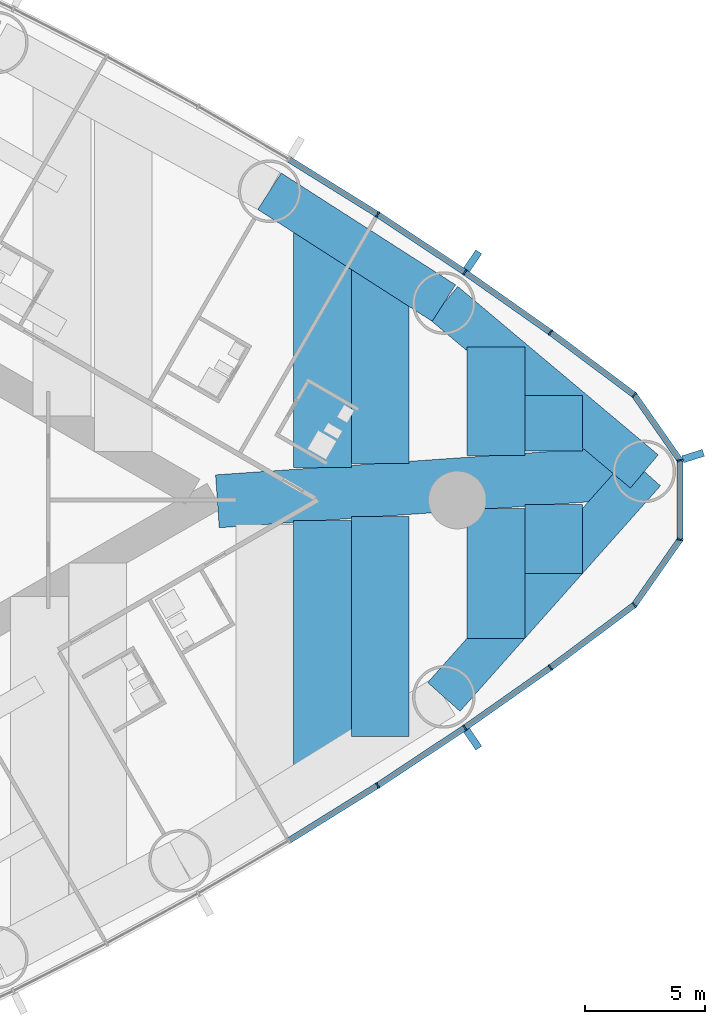
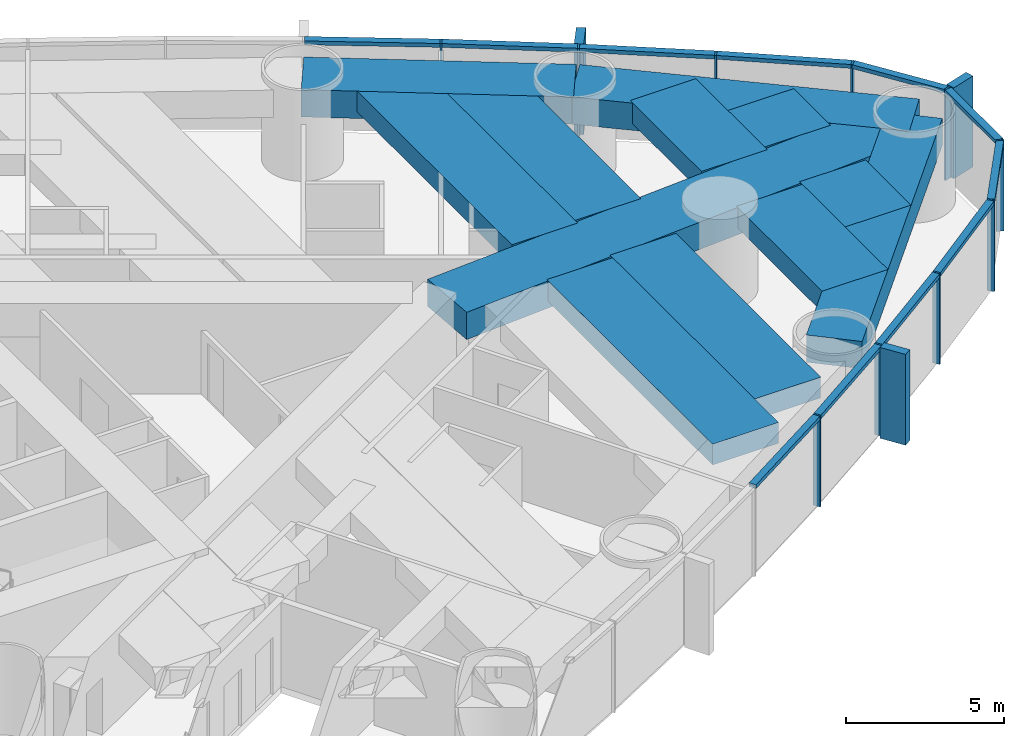
# One storey, part 8 of 19: 24 members, 12 beams, 1 element without a shape of its own.
"""IFC4 building model written with IfcOpenShell, lengths in metres."""

import ifcopenshell
import ifcopenshell.guid

model = None  # the IFC model being written
_history = None  # IfcOwnerHistory: only IFC2X3 demands one
_inside = {}  # id of a spatial element -> (the spatial element, [elements in it])
_under = {}  # id of a project, library or spatial element -> (it, [spatial elements below it])
_declared = {}  # id of a project -> (the project, [libraries it declares])
_typed = {}  # id of a type object -> (the type object, [elements of that type])
_made_of = {}  # id of a material, layer set ... -> (it, [elements and type objects made of it])


def new_model(schema):
    """Start an empty IFC model of exactly this schema.

    Asked for "IFC4X3", IfcOpenShell would pick the latest addendum, in which some entities
    have other attributes; the version numbers below select the first issue.
    IFC2X3 requires an IfcOwnerHistory on every rooted entity: one is made here for all.
    """
    global model, _history
    if schema == "IFC4X3":
        model = ifcopenshell.file(schema_version=(4, 3, 0, 0))
    else:
        model = ifcopenshell.file(schema=schema)
    _inside.clear()
    _under.clear()
    _declared.clear()
    _typed.clear()
    _made_of.clear()
    _history = None
    if model.schema == "IFC2X3":
        org = make("IfcOrganization", Name="unknown")
        user = make(
            "IfcPersonAndOrganization",
            ThePerson=make("IfcPerson", FamilyName="unknown"),
            TheOrganization=org,
        )
        app = make(
            "IfcApplication",
            ApplicationDeveloper=org,
            Version="unknown",
            ApplicationFullName="unknown",
            ApplicationIdentifier="unknown",
        )
        _history = make(
            "IfcOwnerHistory",
            OwningUser=user,
            OwningApplication=app,
            ChangeAction="ADDED",
            CreationDate=0,
        )
    return model


def make(cls, **values):
    """One entity of the class cls with the attributes given. An attribute that is None is left unset."""
    return model.create_entity(
        cls, **{name: value for name, value in values.items() if value is not None}
    )


def rooted(cls, **values):
    """An entity with a GlobalId (a new one), such as an element, a storey or a relation."""
    return make(cls, GlobalId=ifcopenshell.guid.new(), OwnerHistory=_history, **values)


def si_unit(unit_type, name, prefix=None):
    """IfcSIUnit, for example si_unit("LENGTHUNIT", "METRE", prefix="MILLI")."""
    return make("IfcSIUnit", UnitType=unit_type, Prefix=prefix, Name=name)


def assignment(units):
    """IfcUnitAssignment: the units of a project."""
    return None if units is None else make("IfcUnitAssignment", Units=units)


def point(xyz):
    """IfcCartesianPoint."""
    return None if xyz is None else make("IfcCartesianPoint", Coordinates=xyz)


def direction(xyz):
    """IfcDirection."""
    return None if xyz is None else make("IfcDirection", DirectionRatios=xyz)


def frame(location, z_axis=None, x_axis=None):
    """IfcAxis2Placement3D, a coordinate frame: its origin and axes. An axis left out is left unset."""
    return make(
        "IfcAxis2Placement3D",
        Location=point(location),
        Axis=direction(z_axis),
        RefDirection=direction(x_axis),
    )


def frame_2d(location, x_axis=None):
    """IfcAxis2Placement2D, a coordinate frame in the plane: its origin and x axis."""
    return make(
        "IfcAxis2Placement2D", Location=point(location), RefDirection=direction(x_axis)
    )


def origin():
    """The frame at (0, 0, 0) with its axes left unset."""
    return frame((0.0, 0.0, 0.0))


def origin_2d():
    """The frame at (0, 0) in the plane with its x axis left unset."""
    return frame_2d((0.0, 0.0))


def place(relative_to, where):
    """IfcLocalPlacement: puts the frame where relative to a parent placement (None: the world)."""
    return make(
        "IfcLocalPlacement", PlacementRelTo=relative_to, RelativePlacement=where
    )


def context(
    kind, dimensions, precision=None, world=None, true_north=None, identifier=None
):
    """IfcGeometricRepresentationContext, for example the 3D "Model" context."""
    return make(
        "IfcGeometricRepresentationContext",
        ContextIdentifier=identifier,
        ContextType=kind,
        CoordinateSpaceDimension=dimensions,
        Precision=precision,
        WorldCoordinateSystem=world,
        TrueNorth=true_north,
    )


def subcontext(parent, identifier, kind, view, scale=None):
    """IfcGeometricRepresentationSubContext, for example "Body" below "Model"."""
    return make(
        "IfcGeometricRepresentationSubContext",
        ContextIdentifier=identifier,
        ContextType=kind,
        ParentContext=parent,
        TargetScale=scale,
        TargetView=view,
    )


def project(units=None, contexts=None):
    """IfcProject with its units and contexts."""
    return rooted(
        "IfcProject",
        Name="project",
        RepresentationContexts=contexts,
        UnitsInContext=assignment(units),
    )


def spatial(cls, under=None, at=None, **own):
    """A site, building, storey or space (cls), placed at a placement, below another one or the project."""
    s = rooted(cls, ObjectPlacement=at, **own)
    if under is not None:
        _under.setdefault(under.id(), (under, []))[1].append(s)
    return s


def profile(cls, at=None, kind="AREA", **sizes):
    """A parametric profile (cls). Its sizes go by their IFC names, for example OverallWidth=200.0."""
    return make(cls, ProfileType=kind, Position=at, **sizes)


def rectangle(**sizes):
    """IfcRectangleProfileDef."""
    return profile("IfcRectangleProfileDef", **sizes)


def extrude(swept, where, along, depth):
    """IfcExtrudedAreaSolid: the profile swept, set in the frame where, extruded along a direction by depth."""
    return make(
        "IfcExtrudedAreaSolid",
        SweptArea=swept,
        Position=where,
        ExtrudedDirection=direction(along),
        Depth=depth,
    )


def shape(context_of_items, identifier, shape_type, items):
    """IfcShapeRepresentation: the items that make up one representation, for example the "Body"."""
    return make(
        "IfcShapeRepresentation",
        ContextOfItems=context_of_items,
        RepresentationIdentifier=identifier,
        RepresentationType=shape_type,
        Items=items,
    )


def material(Name=None, Category=None):
    """IfcMaterial."""
    return make("IfcMaterial", Name=Name, Category=Category)


def material_profile(
    of_material, cross_section, Name=None, Category=None, Priority=None
):
    """IfcMaterialProfile: a cross section and its material."""
    return make(
        "IfcMaterialProfile",
        Name=Name,
        Material=of_material,
        Profile=cross_section,
        Priority=Priority,
        Category=Category,
    )


def profile_set(profiles, Name=None, composite=None):
    """IfcMaterialProfileSet."""
    return make(
        "IfcMaterialProfileSet",
        Name=Name,
        MaterialProfiles=profiles,
        CompositeProfile=composite,
    )


def made_of(thing, what):
    """Note that an element or type object is made of a material, layer set ...; save() writes the relation."""
    if what is not None:
        _made_of.setdefault(what.id(), (what, []))[1].append(thing)
    return thing


def type_object(cls, material=None, **own):
    """A type object (cls), such as IfcWallType, which elements share."""
    return made_of(rooted(cls, **own), material)


def element(
    cls,
    number,
    at=None,
    inside=None,
    cuts=None,
    type_object=None,
    material=None,
    context=None,
    identifier="Body",
    shape_type=None,
    held_by="IfcProductDefinitionShape",
    body=None,
    shapes=None,
    **own,
):
    """One element of the class cls, such as IfcWall. Its Tag is "e" and its number.

    at: its placement. inside: the storey or other place that contains it. cuts: it is an
    opening in that element (IfcRelVoidsElement). A single representation is given by context,
    identifier, shape_type and body (its items); several are given by shapes. held_by: the class
    of the entity that holds the representations. save() writes the other relations.
    """
    e = rooted(cls, Tag="e%d" % number, ObjectPlacement=at, **own)
    if body is not None:
        shapes = [shape(context, identifier, shape_type, body)]
    if shapes is not None:
        e.Representation = make(held_by, Representations=shapes)
    if inside is not None:
        _inside.setdefault(inside.id(), (inside, []))[1].append(e)
    if cuts is not None:
        rooted(
            "IfcRelVoidsElement", RelatingBuildingElement=cuts, RelatedOpeningElement=e
        )
    if type_object is not None:
        _typed.setdefault(type_object.id(), (type_object, []))[1].append(e)
    return made_of(e, material)


def aggregate(whole, parts):
    """IfcRelAggregates: a whole, such as a stair, and the parts it consists of."""
    return rooted("IfcRelAggregates", RelatingObject=whole, RelatedObjects=parts)


def save(model, path):
    """Write the relations noted so far, then the file.

    IfcRelAggregates (storeys below a building ...), IfcRelContainedInSpatialStructure (elements
    in a storey), IfcRelDefinesByType, IfcRelAssociatesMaterial and IfcRelDeclares: one each for
    every whole, place, type object, material and project.
    """
    for whole, parts in _under.values():
        aggregate(whole, parts)
    for where, things in _inside.values():
        rooted(
            "IfcRelContainedInSpatialStructure",
            RelatedElements=things,
            RelatingStructure=where,
        )
    for kind, things in _typed.values():
        rooted("IfcRelDefinesByType", RelatedObjects=things, RelatingType=kind)
    for what, things in _made_of.values():
        rooted("IfcRelAssociatesMaterial", RelatedObjects=things, RelatingMaterial=what)
    for by, libraries in _declared.values():
        rooted("IfcRelDeclares", RelatingContext=by, RelatedDefinitions=libraries)
    model.write(path)


model = new_model("IFC4")

# Units and contexts
model_context = context("Model", 3, precision=1e-05, world=origin(), true_north=direction((0.0, 1.0)))
body_context = subcontext(model_context, "Body", "Model", "MODEL_VIEW")
ifc_project = project(units=[si_unit("LENGTHUNIT", "METRE"), si_unit("AREAUNIT", "SQUARE_METRE"), si_unit("VOLUMEUNIT", "CUBIC_METRE"), si_unit("PLANEANGLEUNIT", "RADIAN"), si_unit("MASSUNIT", "GRAM", prefix="KILO")], contexts=[model_context])

# Site, building, storey
site_placement = place(None, origin())
site = spatial("IfcSite", under=ifc_project, at=site_placement, CompositionType="ELEMENT")
building_placement = place(site_placement, origin())
building = spatial("IfcBuilding", under=site, at=building_placement, Name="Lancet Gate Hotel", CompositionType="ELEMENT")
storey_placement = place(building_placement, frame((0.0, 0.0, 122.10009765625)))
storey = spatial("IfcBuildingStorey", under=building, at=storey_placement, Name="L32", CompositionType="ELEMENT", Elevation=122.10009765625)

# Curtain wall, members
ifc_material_1 = material(Name="Aluminium curtain wall", Category="aluminium")
curtain_wall_type = type_object("IfcCurtainWallType", Name="Tower unitised curtain wall", PredefinedType="USERDEFINED", material=ifc_material_1)
curtain_wall_placement = place(storey_placement, origin())
curtain_wall = element("IfcCurtainWall", 1, at=curtain_wall_placement, inside=storey, type_object=curtain_wall_type, Name="T2 L32 curtain wall 1", ObjectType="UNITISED CURTAIN WALL", PredefinedType="USERDEFINED")
ifc_material_2 = material(Name="Aluminium mullion", Category="aluminium")
ifc_material_profile_1 = material_profile(ifc_material_2, rectangle(XDim=0.06494140625, YDim=0.25, at=origin_2d()), Name="MULLION 65x250")
ifc_profile_set_1 = profile_set([ifc_material_profile_1], Name="Aluminium mullion")
member_type_1 = type_object("IfcMemberType", Name="Aluminium mullion 65x250", PredefinedType="MULLION", material=ifc_profile_set_1)
member_1_placement = place(storey_placement, frame((58.188720703125, -11.8603515625, 0.0), z_axis=(0.0, 0.0, 1.0), x_axis=(0.841736224144, 0.539888996891, 0.0)))
member_1 = element("IfcMember", 2, at=member_1_placement, type_object=member_type_1, Name="T2 L32 curtain wall 1 mullion 13", PredefinedType="MULLION", context=body_context, shape_type="SweptSolid", body=[
    extrude(rectangle(XDim=0.06494140625, YDim=0.25, at=origin_2d()), origin(), (0.0, 0.0, 1.0), 3.5),
])
member_2_placement = place(storey_placement, frame((61.814208984375, -9.461669921875, 0.0), z_axis=(0.0, 0.0, 1.0), x_axis=(0.826065510491, 0.563574105489, 0.0)))
member_2 = element("IfcMember", 3, at=member_2_placement, type_object=member_type_1, Name="T2 L32 curtain wall 1 mullion 14", PredefinedType="MULLION", context=body_context, shape_type="SweptSolid", body=[
    extrude(rectangle(XDim=0.06494140625, YDim=0.25, at=origin_2d()), origin(), (0.0, 0.0, 1.0), 3.5),
])
member_3_placement = place(storey_placement, frame((65.370361328125, -6.9609375, 0.0), z_axis=(0.0, 0.0, 1.0), x_axis=(0.809728529035, 0.586804660229, 0.0)))
member_3 = element("IfcMember", 4, at=member_3_placement, type_object=member_type_1, Name="T2 L32 curtain wall 1 mullion 15", PredefinedType="MULLION", context=body_context, shape_type="SweptSolid", body=[
    extrude(rectangle(XDim=0.06494140625, YDim=0.25, at=origin_2d()), origin(), (0.0, 0.0, 1.0), 3.5),
])
member_4_placement = place(storey_placement, frame((68.853759765625, -4.360107421875, 0.0), z_axis=(0.0, 0.0, 1.0), x_axis=(0.711610374907, 0.702574319432, 0.0)))
member_4 = element("IfcMember", 5, at=member_4_placement, type_object=member_type_1, Name="T2 L32 curtain wall 1 mullion 16", PredefinedType="MULLION", context=body_context, shape_type="SweptSolid", body=[
    extrude(rectangle(XDim=0.06494140625, YDim=0.25, at=origin_2d()), origin(), (0.0, 0.0, 1.0), 3.5),
])
member_5_placement = place(storey_placement, frame((70.747314453125, -1.652099609375, 0.0), z_axis=(0.0, 0.0, 1.0), x_axis=(0.300384890639, 0.953818073574, 0.0)))
member_5 = element("IfcMember", 6, at=member_5_placement, type_object=member_type_1, Name="T2 L32 curtain wall 1 mullion 17", PredefinedType="MULLION", context=body_context, shape_type="SweptSolid", body=[
    extrude(rectangle(XDim=0.06494140625, YDim=0.25, at=origin_2d()), origin(), (0.0, 0.0, 1.0), 3.5),
])
member_6_placement = place(storey_placement, frame((70.747314453125, 1.652099609375, 0.0), z_axis=(0.0, 0.0, 1.0), x_axis=(-0.300384890639, 0.953818073574, 0.0)))
member_6 = element("IfcMember", 7, at=member_6_placement, type_object=member_type_1, Name="T2 L32 curtain wall 1 mullion 18", PredefinedType="MULLION", context=body_context, shape_type="SweptSolid", body=[
    extrude(rectangle(XDim=0.06494140625, YDim=0.25, at=origin_2d()), origin(), (0.0, 0.0, 1.0), 3.5),
])
member_7_placement = place(storey_placement, frame((68.853759765625, 4.360107421875, 0.0), z_axis=(0.0, 0.0, 1.0), x_axis=(-0.711610374907, 0.702574319432, 0.0)))
member_7 = element("IfcMember", 8, at=member_7_placement, type_object=member_type_1, Name="T2 L32 curtain wall 1 mullion 19", PredefinedType="MULLION", context=body_context, shape_type="SweptSolid", body=[
    extrude(rectangle(XDim=0.06494140625, YDim=0.25, at=origin_2d()), origin(), (0.0, 0.0, 1.0), 3.5),
])
member_8_placement = place(storey_placement, frame((65.370361328125, 6.9609375, 0.0), z_axis=(0.0, 0.0, 1.0), x_axis=(-0.809728529035, 0.586804660229, 0.0)))
member_8 = element("IfcMember", 9, at=member_8_placement, type_object=member_type_1, Name="T2 L32 curtain wall 1 mullion 20", PredefinedType="MULLION", context=body_context, shape_type="SweptSolid", body=[
    extrude(rectangle(XDim=0.06494140625, YDim=0.25, at=origin_2d()), origin(), (0.0, 0.0, 1.0), 3.5),
])
member_9_placement = place(storey_placement, frame((61.814208984375, 9.461669921875, 0.0), z_axis=(0.0, 0.0, 1.0), x_axis=(-0.826065510491, 0.563574105489, 0.0)))
member_9 = element("IfcMember", 10, at=member_9_placement, type_object=member_type_1, Name="T2 L32 curtain wall 1 mullion 21", PredefinedType="MULLION", context=body_context, shape_type="SweptSolid", body=[
    extrude(rectangle(XDim=0.06494140625, YDim=0.25, at=origin_2d()), origin(), (0.0, 0.0, 1.0), 3.5),
])
member_10_placement = place(storey_placement, frame((58.188720703125, 11.8603515625, 0.0), z_axis=(0.0, 0.0, 1.0), x_axis=(-0.841736224144, 0.539888996891, 0.0)))
member_10 = element("IfcMember", 11, at=member_10_placement, type_object=member_type_1, Name="T2 L32 curtain wall 1 mullion 22", PredefinedType="MULLION", context=body_context, shape_type="SweptSolid", body=[
    extrude(rectangle(XDim=0.06494140625, YDim=0.25, at=origin_2d()), origin(), (0.0, 0.0, 1.0), 3.5),
])
ifc_material_3 = material(Name="Aluminium transom", Category="aluminium")
ifc_material_profile_2 = material_profile(ifc_material_3, rectangle(XDim=0.25, YDim=0.14990234375, at=origin_2d()), Name="TRANSOM 250x150")
ifc_profile_set_2 = profile_set([ifc_material_profile_2], Name="Aluminium transom")
member_type_2 = type_object("IfcMemberType", Name="Aluminium transom 250x150", PredefinedType="USERDEFINED", material=ifc_profile_set_2)
member_11_placement = place(storey_placement, frame((54.52392578125, -14.13818359375, 3.4248046875), z_axis=(0.849308812566, 0.527896335371, 0.0), x_axis=(-0.527896335371, 0.849308812566, 0.0)))
member_11 = element("IfcMember", 12, at=member_11_placement, type_object=member_type_2, Name="T2 L32 curtain wall 1 transom 12", ObjectType="TRANSOM", PredefinedType="USERDEFINED", context=body_context, shape_type="SweptSolid", body=[
    extrude(rectangle(XDim=0.25, YDim=0.14990234375, at=origin_2d()), origin(), (0.0, 0.0, 1.0), 4.282470703125),
])
member_12_placement = place(storey_placement, frame((58.2158203125, -11.842529296875, 3.4248046875), z_axis=(0.833966159038, 0.551815590192, 0.0), x_axis=(-0.551815590192, 0.833966159038, 0.0)))
member_12 = element("IfcMember", 13, at=member_12_placement, type_object=member_type_2, Name="T2 L32 curtain wall 1 transom 13", ObjectType="TRANSOM", PredefinedType="USERDEFINED", context=body_context, shape_type="SweptSolid", body=[
    extrude(rectangle(XDim=0.25, YDim=0.14990234375, at=origin_2d()), origin(), (0.0, 0.0, 1.0), 4.2822265625),
])
member_13_placement = place(storey_placement, frame((61.8408203125, -9.44287109375, 3.4248046875), z_axis=(0.817987243547, 0.57523635959, 0.0), x_axis=(-0.57523635959, 0.817987243547, 0.0)))
member_13 = element("IfcMember", 14, at=member_13_placement, type_object=member_type_2, Name="T2 L32 curtain wall 1 transom 14", ObjectType="TRANSOM", PredefinedType="USERDEFINED", context=body_context, shape_type="SweptSolid", body=[
    extrude(rectangle(XDim=0.25, YDim=0.14990234375, at=origin_2d()), origin(), (0.0, 0.0, 1.0), 4.282470703125),
])
member_14_placement = place(storey_placement, frame((65.396240234375, -6.94140625, 3.4248046875), z_axis=(0.801311559064, 0.598247261014, 0.0), x_axis=(-0.598247261014, 0.801311559064, 0.0)))
member_14 = element("IfcMember", 15, at=member_14_placement, type_object=member_type_2, Name="T2 L32 curtain wall 1 transom 15", ObjectType="TRANSOM", PredefinedType="USERDEFINED", context=body_context, shape_type="SweptSolid", body=[
    extrude(rectangle(XDim=0.25, YDim=0.14990234375, at=origin_2d()), origin(), (0.0, 0.0, 1.0), 4.282470703125),
])
member_15_placement = place(storey_placement, frame((68.87255859375, -4.33349609375, 3.4248046875), z_axis=(0.573017137751, 0.819543384967, 0.0), x_axis=(-0.819543384967, 0.573017137751, 0.0)))
member_15 = element("IfcMember", 16, at=member_15_placement, type_object=member_type_2, Name="T2 L32 curtain wall 1 transom 16", ObjectType="TRANSOM", PredefinedType="USERDEFINED", context=body_context, shape_type="SweptSolid", body=[
    extrude(rectangle(XDim=0.25, YDim=0.14990234375, at=origin_2d()), origin(), (0.0, 0.0, 1.0), 3.2392578125),
])
member_16_placement = place(storey_placement, frame((70.747314453125, -1.61962890625, 3.4248046875), z_axis=(0.0, 1.0, 0.0), x_axis=(-1.0, 0.0, 0.0)))
member_16 = element("IfcMember", 17, at=member_16_placement, type_object=member_type_2, Name="T2 L32 curtain wall 1 transom 17", ObjectType="TRANSOM", PredefinedType="USERDEFINED", context=body_context, shape_type="SweptSolid", body=[
    extrude(rectangle(XDim=0.25, YDim=0.14990234375, at=origin_2d()), origin(), (0.0, 0.0, 1.0), 3.2392578125),
])
member_17_placement = place(storey_placement, frame((70.728759765625, 1.6787109375, 3.4248046875), z_axis=(-0.573017137751, 0.819543384967, 0.0), x_axis=(-0.819543384967, -0.573017137751, 0.0)))
member_17 = element("IfcMember", 18, at=member_17_placement, type_object=member_type_2, Name="T2 L32 curtain wall 1 transom 18", ObjectType="TRANSOM", PredefinedType="USERDEFINED", context=body_context, shape_type="SweptSolid", body=[
    extrude(rectangle(XDim=0.25, YDim=0.14990234375, at=origin_2d()), origin(), (0.0, 0.0, 1.0), 3.2392578125),
])
member_18_placement = place(storey_placement, frame((68.827880859375, 4.37939453125, 3.4248046875), z_axis=(-0.801311559064, 0.598247261014, 0.0), x_axis=(-0.598247261014, -0.801311559064, 0.0)))
member_18 = element("IfcMember", 19, at=member_18_placement, type_object=member_type_2, Name="T2 L32 curtain wall 1 transom 19", ObjectType="TRANSOM", PredefinedType="USERDEFINED", context=body_context, shape_type="SweptSolid", body=[
    extrude(rectangle(XDim=0.25, YDim=0.14990234375, at=origin_2d()), origin(), (0.0, 0.0, 1.0), 4.282470703125),
])
member_19_placement = place(storey_placement, frame((65.34375, 6.9794921875, 3.4248046875), z_axis=(-0.817987243547, 0.57523635959, 0.0), x_axis=(-0.57523635959, -0.817987243547, 0.0)))
member_19 = element("IfcMember", 20, at=member_19_placement, type_object=member_type_2, Name="T2 L32 curtain wall 1 transom 20", ObjectType="TRANSOM", PredefinedType="USERDEFINED", context=body_context, shape_type="SweptSolid", body=[
    extrude(rectangle(XDim=0.25, YDim=0.14990234375, at=origin_2d()), origin(), (0.0, 0.0, 1.0), 4.282470703125),
])
member_20_placement = place(storey_placement, frame((61.787109375, 9.4794921875, 3.4248046875), z_axis=(-0.833966159038, 0.551815590192, 0.0), x_axis=(-0.551815590192, -0.833966159038, 0.0)))
member_20 = element("IfcMember", 21, at=member_20_placement, type_object=member_type_2, Name="T2 L32 curtain wall 1 transom 21", ObjectType="TRANSOM", PredefinedType="USERDEFINED", context=body_context, shape_type="SweptSolid", body=[
    extrude(rectangle(XDim=0.25, YDim=0.14990234375, at=origin_2d()), origin(), (0.0, 0.0, 1.0), 4.2822265625),
])
member_21_placement = place(storey_placement, frame((58.1611328125, 11.87744140625, 3.4248046875), z_axis=(-0.849308812566, 0.527896335371, 0.0), x_axis=(-0.527896335371, -0.849308812566, 0.0)))
member_21 = element("IfcMember", 22, at=member_21_placement, type_object=member_type_2, Name="T2 L32 curtain wall 1 transom 22", ObjectType="TRANSOM", PredefinedType="USERDEFINED", context=body_context, shape_type="SweptSolid", body=[
    extrude(rectangle(XDim=0.25, YDim=0.14990234375, at=origin_2d()), origin(), (0.0, 0.0, 1.0), 4.282470703125),
])

# Beams
ifc_material_4 = material(Name="Concrete C50/60", Category="concrete")
ifc_material_profile_3 = material_profile(ifc_material_4, rectangle(XDim=1.800048828125, YDim=1.050048828125, at=origin_2d()), Name="RC 1800x1050")
ifc_profile_set_3 = profile_set([ifc_material_profile_3], Name="Concrete C50/60")
beam_type_1 = type_object("IfcBeamType", Name="Edge beam RC 1800x1050", PredefinedType="SPANDREL", material=ifc_profile_set_3)
beam_1_placement = place(storey_placement, frame((60.940673828125, -8.18115234375, 2.724853515625), z_axis=(0.664421866815, 0.74735773422, 0.0), x_axis=(-0.74735773422, 0.664421866815, 0.0)))
element("IfcBeam", 23, at=beam_1_placement, inside=storey, type_object=beam_type_1, Name="T2 edge beam EB1 L32", PredefinedType="SPANDREL", context=body_context, shape_type="SweptSolid", body=[
    extrude(rectangle(XDim=1.800048828125, YDim=1.050048828125, at=origin_2d()), origin(), (0.0, 0.0, 1.0), 12.534423828125),
])
beam_2_placement = place(storey_placement, frame((69.268798828125, 1.1865234375, 2.724853515625), z_axis=(-0.765749969712, 0.643138386264, 0.0), x_axis=(-0.643138386264, -0.765749969712, 0.0)))
element("IfcBeam", 24, at=beam_2_placement, inside=storey, type_object=beam_type_1, Name="T2 edge beam EB1 L32", PredefinedType="SPANDREL", context=body_context, shape_type="SweptSolid", body=[
    extrude(rectangle(XDim=1.800048828125, YDim=1.050048828125, at=origin_2d()), origin(), (0.0, 0.0, 1.0), 10.875732421875),
])
beam_3_placement = place(storey_placement, frame((60.940673828125, 8.18115234375, 2.724853515625), z_axis=(-0.841727408736, 0.539902740669, 0.0), x_axis=(-0.539902740669, -0.841727408736, 0.0)))
element("IfcBeam", 25, at=beam_3_placement, inside=storey, type_object=beam_type_1, Name="T2 edge beam EB1 L32", PredefinedType="SPANDREL", context=body_context, shape_type="SweptSolid", body=[
    extrude(rectangle(XDim=1.800048828125, YDim=1.050048828125, at=origin_2d()), origin(), (0.0, 0.0, 1.0), 8.605712890625),
])

# Member
ifc_material_5 = material(Name="Precast concrete C50/60", Category="concrete")
ifc_material_profile_4 = material_profile(ifc_material_5, rectangle(XDim=0.300048828125, YDim=0.89990234375, at=origin_2d()), Name="FIN 300x900")
ifc_profile_set_4 = profile_set([ifc_material_profile_4], Name="Precast concrete C50/60")
member_type_3 = type_object("IfcMemberType", Name="Exposed concrete fin 300x900", PredefinedType="USERDEFINED", material=ifc_profile_set_4)
member_22_placement = place(storey_placement, frame((62.138427734375, -9.9365234375, 0.0), z_axis=(0.0, 0.0, 1.0), x_axis=(0.826065510491, 0.563574105489, 0.0)))
member_22 = element("IfcMember", 26, at=member_22_placement, type_object=member_type_3, Name="T2 L32 curtain wall 1 fin 14", ObjectType="FIN", PredefinedType="USERDEFINED", context=body_context, shape_type="SweptSolid", body=[
    extrude(rectangle(XDim=0.300048828125, YDim=0.89990234375, at=origin_2d()), origin(), (0.0, 0.0, 1.0), 3.5),
])

member_23_placement = place(storey_placement, frame((71.295654296875, 1.824951171875, 0.0), z_axis=(0.0, 0.0, 1.0), x_axis=(-0.300384890639, 0.953818073574, 0.0)))
member_23 = element("IfcMember", 27, at=member_23_placement, type_object=member_type_3, Name="T2 L32 curtain wall 1 fin 18", ObjectType="FIN", PredefinedType="USERDEFINED", context=body_context, shape_type="SweptSolid", body=[
    extrude(rectangle(XDim=0.300048828125, YDim=0.89990234375, at=origin_2d()), origin(), (0.0, 0.0, 1.0), 3.5),
])

member_24_placement = place(storey_placement, frame((62.138427734375, 9.9365234375, 0.0), z_axis=(0.0, 0.0, 1.0), x_axis=(-0.826065510491, 0.563574105489, 0.0)))
member_24 = element("IfcMember", 28, at=member_24_placement, type_object=member_type_3, Name="T2 L32 curtain wall 1 fin 21", ObjectType="FIN", PredefinedType="USERDEFINED", context=body_context, shape_type="SweptSolid", body=[
    extrude(rectangle(XDim=0.300048828125, YDim=0.89990234375, at=origin_2d()), origin(), (0.0, 0.0, 1.0), 3.5),
])

aggregate(curtain_wall, [member_1, member_2, member_22, member_3, member_4, member_5, member_6, member_23, member_7, member_8, member_9, member_24, member_10, member_11, member_12, member_13, member_14, member_15, member_16, member_17, member_18, member_19, member_20, member_21])

# Beams
ifc_material_6 = material(Name="Concrete C50/60", Category="concrete")
ifc_material_profile_5 = material_profile(ifc_material_6, rectangle(XDim=2.39990234375, YDim=0.800048828125, at=origin_2d()), Name="RC 2400x800")
ifc_profile_set_5 = profile_set([ifc_material_profile_5], Name="Concrete C50/60")
beam_type_2 = type_object("IfcBeamType", Name="Floor beam RC 2400x800", PredefinedType="BEAM", material=ifc_profile_set_5)
beam_4_placement = place(storey_placement, frame((55.90234375, -11.312744140625, 2.849853515625), z_axis=(0.0, 1.0, 0.0), x_axis=(-1.0, 0.0, 0.0)))
element("IfcBeam", 29, at=beam_4_placement, inside=storey, type_object=beam_type_2, Name="T2 floor beam F14S L32", PredefinedType="BEAM", context=body_context, shape_type="SweptSolid", body=[
    extrude(rectangle(XDim=2.39990234375, YDim=0.800048828125, at=origin_2d()), origin(), (0.0, 0.0, 1.0), 10.4619140625),
])
beam_5_placement = place(storey_placement, frame((55.90234375, 1.3544921875, 2.849853515625), z_axis=(0.0, 1.0, 0.0), x_axis=(-1.0, 0.0, 0.0)))
element("IfcBeam", 30, at=beam_5_placement, inside=storey, type_object=beam_type_2, Name="T2 floor beam F15N L32", PredefinedType="BEAM", context=body_context, shape_type="SweptSolid", body=[
    extrude(rectangle(XDim=2.39990234375, YDim=0.800048828125, at=origin_2d()), origin(), (0.0, 0.0, 1.0), 10.058349609375),
])
beam_6_placement = place(storey_placement, frame((58.30224609375, -9.821044921875, 2.849853515625), z_axis=(0.0, 1.0, 0.0), x_axis=(-1.0, 0.0, 0.0)))
element("IfcBeam", 31, at=beam_6_placement, inside=storey, type_object=beam_type_2, Name="T2 floor beam F16S L32", PredefinedType="BEAM", context=body_context, shape_type="SweptSolid", body=[
    extrude(rectangle(XDim=2.39990234375, YDim=0.800048828125, at=origin_2d()), origin(), (0.0, 0.0, 1.0), 9.137939453125),
])
beam_7_placement = place(storey_placement, frame((58.30224609375, 1.522216796875, 2.849853515625), z_axis=(0.0, 1.0, 0.0), x_axis=(-1.0, 0.0, 0.0)))
element("IfcBeam", 32, at=beam_7_placement, inside=storey, type_object=beam_type_2, Name="T2 floor beam F17N L32", PredefinedType="BEAM", context=body_context, shape_type="SweptSolid", body=[
    extrude(rectangle(XDim=2.39990234375, YDim=0.800048828125, at=origin_2d()), origin(), (0.0, 0.0, 1.0), 8.351318359375),
])
beam_8_placement = place(storey_placement, frame((63.102294921875, -5.75, 2.849853515625), z_axis=(0.0, 1.0, 0.0), x_axis=(-1.0, 0.0, 0.0)))
element("IfcBeam", 33, at=beam_8_placement, inside=storey, type_object=beam_type_2, Name="T2 floor beam F18S L32", PredefinedType="BEAM", context=body_context, shape_type="SweptSolid", body=[
    extrude(rectangle(XDim=2.39990234375, YDim=0.800048828125, at=origin_2d()), origin(), (0.0, 0.0, 1.0), 5.402587890625),
])
beam_9_placement = place(storey_placement, frame((63.102294921875, 1.85791015625, 2.849853515625), z_axis=(0.0, 1.0, 0.0), x_axis=(-1.0, 0.0, 0.0)))
element("IfcBeam", 34, at=beam_9_placement, inside=storey, type_object=beam_type_2, Name="T2 floor beam F19N L32", PredefinedType="BEAM", context=body_context, shape_type="SweptSolid", body=[
    extrude(rectangle(XDim=2.39990234375, YDim=0.800048828125, at=origin_2d()), origin(), (0.0, 0.0, 1.0), 4.5078125),
])
beam_10_placement = place(storey_placement, frame((65.502197265625, -3.05029296875, 2.849853515625), z_axis=(0.0, 1.0, 0.0), x_axis=(-1.0, 0.0, 0.0)))
element("IfcBeam", 35, at=beam_10_placement, inside=storey, type_object=beam_type_2, Name="T2 floor beam F20S L32", PredefinedType="BEAM", context=body_context, shape_type="SweptSolid", body=[
    extrude(rectangle(XDim=2.39990234375, YDim=0.800048828125, at=origin_2d()), origin(), (0.0, 0.0, 1.0), 2.87060546875),
])
beam_11_placement = place(storey_placement, frame((65.502197265625, 2.02587890625, 2.849853515625), z_axis=(0.0, 1.0, 0.0), x_axis=(-1.0, 0.0, 0.0)))
element("IfcBeam", 36, at=beam_11_placement, inside=storey, type_object=beam_type_2, Name="T2 floor beam F21N L32", PredefinedType="BEAM", context=body_context, shape_type="SweptSolid", body=[
    extrude(rectangle(XDim=2.39990234375, YDim=0.800048828125, at=origin_2d()), origin(), (0.0, 0.0, 1.0), 2.32421875),
])
ifc_material_7 = material(Name="Concrete C50/60", Category="concrete")
ifc_material_profile_6 = material_profile(ifc_material_7, rectangle(XDim=2.199951171875, YDim=1.050048828125, at=origin_2d()), Name="RC 2200x1050")
ifc_profile_set_6 = profile_set([ifc_material_profile_6], Name="Concrete C50/60")
beam_type_3 = type_object("IfcBeamType", Name="Radial floor beam RC 2200x1050", PredefinedType="BEAM", material=ifc_profile_set_6)
beam_12_placement = place(storey_placement, frame((69.268798828125, 1.1865234375, 2.724853515625), z_axis=(-0.99756389092, -0.069758752369, 0.0), x_axis=(0.069758752369, -0.99756389092, 0.0)))
element("IfcBeam", 37, at=beam_12_placement, inside=storey, type_object=beam_type_3, Name="T2 radial beam CA L32", PredefinedType="BEAM", context=body_context, shape_type="SweptSolid", body=[
    extrude(rectangle(XDim=2.199951171875, YDim=1.050048828125, at=origin_2d()), origin(), (0.0, 0.0, 1.0), 17.77880859375),
])

save(model, "model.ifc")
